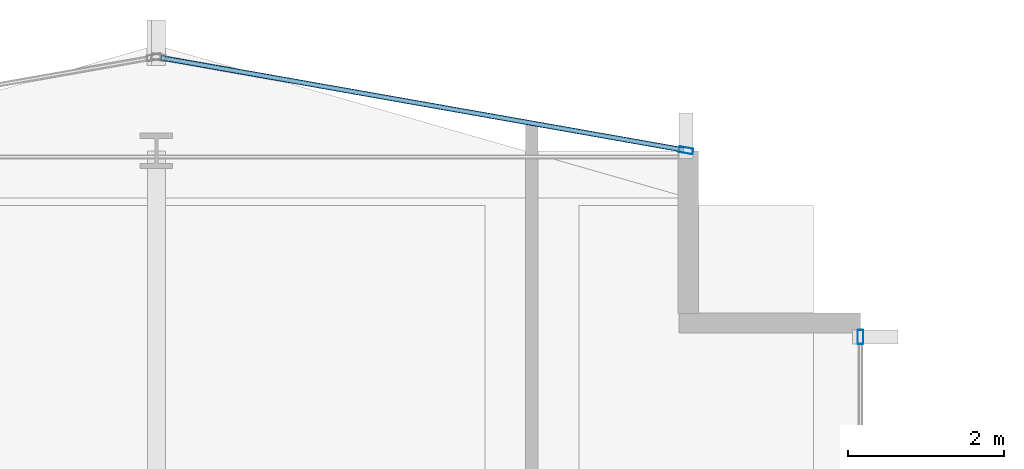
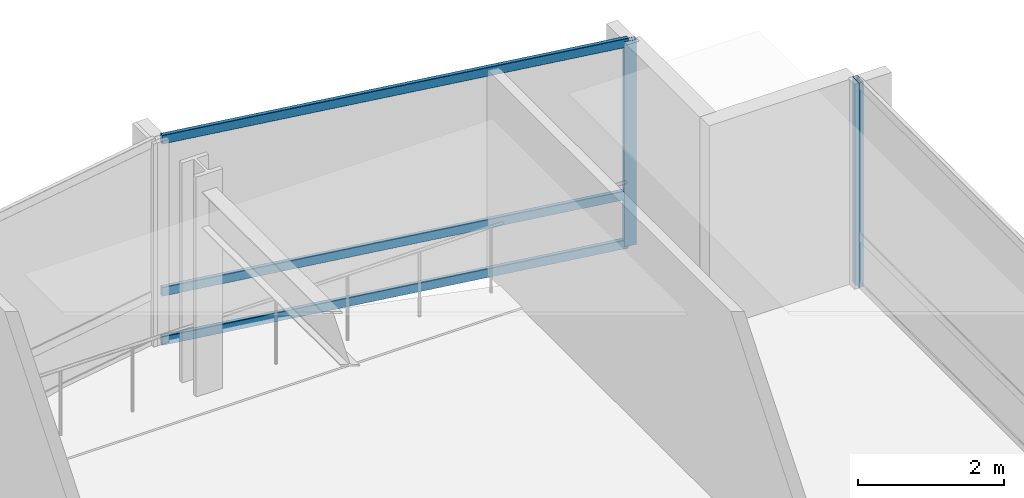
# One storey, part 20 of 29: 5 members, 2 elements without a shape of their own.
"""IFC4 building model written with IfcOpenShell, lengths in metres."""

from ifc_helpers import new_model, si_unit, direction, frame, origin, origin_2d, place, context, subcontext, project, spatial, hollow_rectangle, extrude, material, layer, layer_set, material_profile, profile_set, type_object, element, aggregate, save


model = new_model("IFC4")

# Units and contexts
model_context = context("Model", 3, precision=1e-05, world=origin(), true_north=direction((0.0, 1.0)))
body_context = subcontext(model_context, "Body", "Model", "MODEL_VIEW")
ifc_project = project(units=[si_unit("LENGTHUNIT", "METRE"), si_unit("AREAUNIT", "SQUARE_METRE"), si_unit("VOLUMEUNIT", "CUBIC_METRE"), si_unit("PLANEANGLEUNIT", "RADIAN"), si_unit("MASSUNIT", "GRAM", prefix="KILO")], contexts=[model_context])

# Site, building, storey
site_placement = place(None, origin())
site = spatial("IfcSite", under=ifc_project, at=site_placement, CompositionType="ELEMENT")
building_placement = place(site_placement, origin())
building = spatial("IfcBuilding", under=site, at=building_placement, Name="Solvaryn Broadcast Tower", CompositionType="ELEMENT")
storey_placement = place(building_placement, frame((0.0, 0.0, 117.39990234375)))
storey = spatial("IfcBuildingStorey", under=building, at=storey_placement, Name="L28", CompositionType="ELEMENT", Elevation=117.39990234375)

# Curtain wall, member
ifc_material_1 = material(Name="Aluminium and Terracotta Unitised Curtain Wall", Category="masonry")
ifc_layer = layer(ifc_material_1, 0.199951171875)
ifc_layer_set = layer_set([ifc_layer], Name="CW-SYS2-LOWMID")
curtain_wall_type = type_object("IfcCurtainWallType", Name="CW-SYS2-LOWMID", PredefinedType="NOTDEFINED", material=ifc_layer_set)
curtain_wall_1_placement = place(storey_placement, origin())
curtain_wall_1 = element("IfcCurtainWall", 1, at=curtain_wall_1_placement, inside=storey, type_object=curtain_wall_type, Name="L28 Curtain Wall IV", PredefinedType="NOTDEFINED")
ifc_material_2 = material(Name="Anodised Aluminium 6063-T6", Category="aluminium")
ifc_material_profile_1 = material_profile(ifc_material_2, hollow_rectangle(XDim=0.074951171875, YDim=0.179931640625, WallThickness=0.00390625, InnerFilletRadius=0.00390625, OuterFilletRadius=0.008056640625, at=origin_2d()))
ifc_profile_set_1 = profile_set([ifc_material_profile_1], Name="Anodised Aluminium 6063-T6")
member_type_1 = type_object("IfcMemberType", Name="CW-MUL-180", PredefinedType="MULLION", material=ifc_profile_set_1)
member_1_placement = place(storey_placement, frame((27.0, 51.6201171875, 0.0), z_axis=(0.0, 0.0, 1.0), x_axis=(1.0, 0.0, 0.0)))
member_1 = element("IfcMember", 2, at=member_1_placement, type_object=member_type_1, Name="CWS2 mullion 1", PredefinedType="MULLION", context=body_context, shape_type="SweptSolid", body=[
    extrude(hollow_rectangle(XDim=0.074951171875, YDim=0.179931640625, WallThickness=0.00390625, InnerFilletRadius=0.00390625, OuterFilletRadius=0.008056640625, at=origin_2d()), origin(), (0.0, 0.0, 1.0), 3.420166015625),
])
aggregate(curtain_wall_1, [member_1])

# Curtain wall, members
curtain_wall_2_placement = place(storey_placement, origin())
curtain_wall_2 = element("IfcCurtainWall", 3, at=curtain_wall_2_placement, inside=storey, type_object=curtain_wall_type, Name="L28 Curtain Wall NT1", PredefinedType="NOTDEFINED")
member_2_placement = place(storey_placement, frame((24.7705078125, 54.005126953125, 0.0), z_axis=(0.0, 0.0, 1.0), x_axis=(-0.173785333901, -0.984783558819, 0.0)))
member_2 = element("IfcMember", 4, at=member_2_placement, type_object=member_type_1, Name="CWS2 mullion 1", PredefinedType="MULLION", context=body_context, shape_type="SweptSolid", body=[
    extrude(hollow_rectangle(XDim=0.074951171875, YDim=0.179931640625, WallThickness=0.00390625, InnerFilletRadius=0.00390625, OuterFilletRadius=0.008056640625, at=origin_2d()), origin(), (0.0, 0.0, 1.0), 3.420166015625),
])
ifc_material_3 = material(Name="Anodised Aluminium 6063-T6", Category="aluminium")
ifc_material_profile_2 = material_profile(ifc_material_3, hollow_rectangle(XDim=0.06494140625, YDim=0.14990234375, WallThickness=0.00390625, InnerFilletRadius=0.00390625, OuterFilletRadius=0.008056640625, at=origin_2d()))
ifc_profile_set_2 = profile_set([ifc_material_profile_2], Name="Anodised Aluminium 6063-T6")
member_type_2 = type_object("IfcMemberType", Name="CW-TRN-150", PredefinedType="USERDEFINED", material=ifc_profile_set_2)
member_3_placement = place(storey_placement, frame((24.740966796875, 54.010498046875, 0.030029296875), z_axis=(-0.984788629673, 0.173756596613, 0.0), x_axis=(-0.173756596613, -0.984788629673, 0.0)))
member_3 = element("IfcMember", 5, at=member_3_placement, type_object=member_type_2, Name="CWS2 transom 1.1", ObjectType="TRANSOM", PredefinedType="USERDEFINED", context=body_context, shape_type="SweptSolid", body=[
    extrude(hollow_rectangle(XDim=0.06494140625, YDim=0.14990234375, WallThickness=0.00390625, InnerFilletRadius=0.00390625, OuterFilletRadius=0.008056640625, at=origin_2d()), origin(), (0.0, 0.0, 1.0), 6.78515625),
])
member_4_placement = place(storey_placement, frame((24.740966796875, 54.010498046875, 0.85009765625), z_axis=(-0.984788629673, 0.173756596613, 0.0), x_axis=(-0.173756596613, -0.984788629673, 0.0)))
member_4 = element("IfcMember", 6, at=member_4_placement, type_object=member_type_2, Name="CWS2 transom 1.2", ObjectType="TRANSOM", PredefinedType="USERDEFINED", context=body_context, shape_type="SweptSolid", body=[
    extrude(hollow_rectangle(XDim=0.06494140625, YDim=0.14990234375, WallThickness=0.00390625, InnerFilletRadius=0.00390625, OuterFilletRadius=0.008056640625, at=origin_2d()), origin(), (0.0, 0.0, 1.0), 6.78515625),
])
member_5_placement = place(storey_placement, frame((24.740966796875, 54.010498046875, 3.39013671875), z_axis=(-0.984788629673, 0.173756596613, 0.0), x_axis=(-0.173756596613, -0.984788629673, 0.0)))
member_5 = element("IfcMember", 7, at=member_5_placement, type_object=member_type_2, Name="CWS2 transom 1.3", ObjectType="TRANSOM", PredefinedType="USERDEFINED", context=body_context, shape_type="SweptSolid", body=[
    extrude(hollow_rectangle(XDim=0.06494140625, YDim=0.14990234375, WallThickness=0.00390625, InnerFilletRadius=0.00390625, OuterFilletRadius=0.008056640625, at=origin_2d()), origin(), (0.0, 0.0, 1.0), 6.78515625),
])
aggregate(curtain_wall_2, [member_2, member_3, member_4, member_5])

save(model, "model.ifc")
